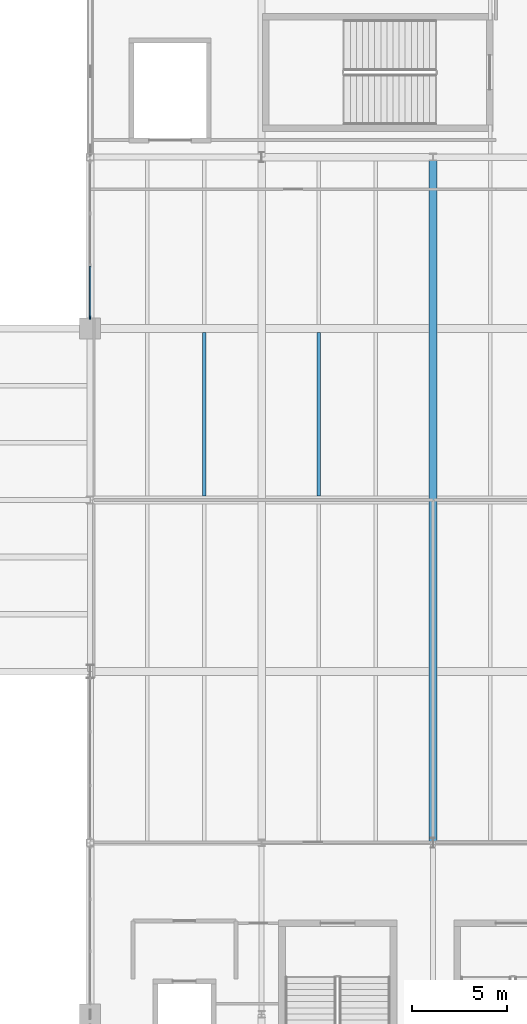
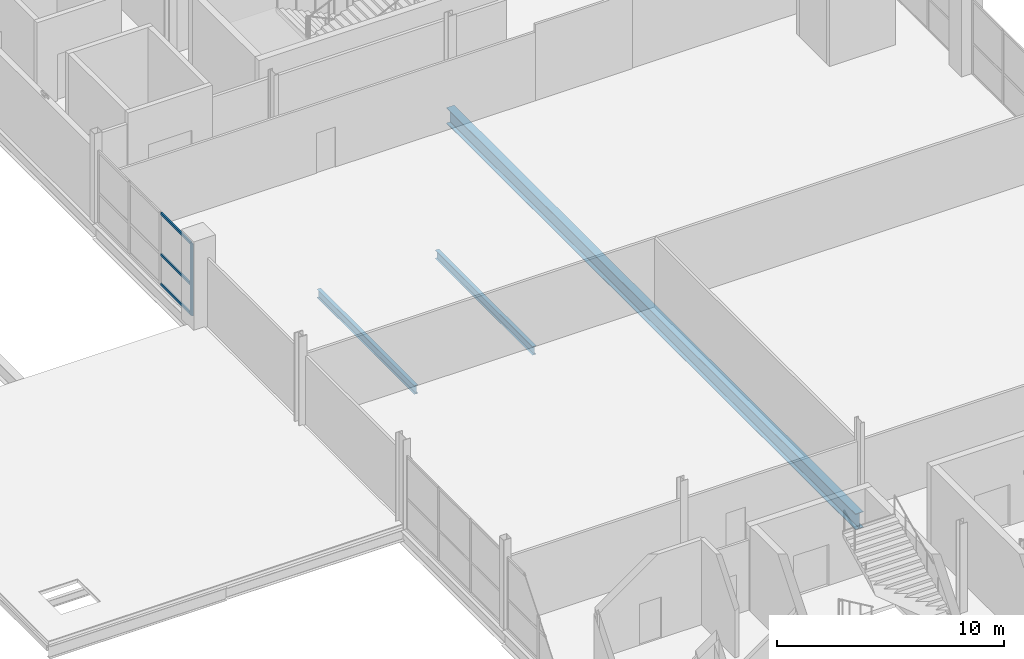
# One storey, part 12 of 50: 4 members, 3 beams, 1 element without a shape of its own.
"""IFC4 building model written with IfcOpenShell, lengths in metres."""

import ifcopenshell
import ifcopenshell.guid

model = None  # the IFC model being written
_history = None  # IfcOwnerHistory: only IFC2X3 demands one
_inside = {}  # id of a spatial element -> (the spatial element, [elements in it])
_under = {}  # id of a project, library or spatial element -> (it, [spatial elements below it])
_declared = {}  # id of a project -> (the project, [libraries it declares])
_typed = {}  # id of a type object -> (the type object, [elements of that type])
_made_of = {}  # id of a material, layer set ... -> (it, [elements and type objects made of it])


def new_model(schema):
    """Start an empty IFC model of exactly this schema.

    Asked for "IFC4X3", IfcOpenShell would pick the latest addendum, in which some entities
    have other attributes; the version numbers below select the first issue.
    IFC2X3 requires an IfcOwnerHistory on every rooted entity: one is made here for all.
    """
    global model, _history
    if schema == "IFC4X3":
        model = ifcopenshell.file(schema_version=(4, 3, 0, 0))
    else:
        model = ifcopenshell.file(schema=schema)
    _inside.clear()
    _under.clear()
    _declared.clear()
    _typed.clear()
    _made_of.clear()
    _history = None
    if model.schema == "IFC2X3":
        org = make("IfcOrganization", Name="unknown")
        user = make(
            "IfcPersonAndOrganization",
            ThePerson=make("IfcPerson", FamilyName="unknown"),
            TheOrganization=org,
        )
        app = make(
            "IfcApplication",
            ApplicationDeveloper=org,
            Version="unknown",
            ApplicationFullName="unknown",
            ApplicationIdentifier="unknown",
        )
        _history = make(
            "IfcOwnerHistory",
            OwningUser=user,
            OwningApplication=app,
            ChangeAction="ADDED",
            CreationDate=0,
        )
    return model


def make(cls, **values):
    """One entity of the class cls with the attributes given. An attribute that is None is left unset."""
    return model.create_entity(
        cls, **{name: value for name, value in values.items() if value is not None}
    )


def rooted(cls, **values):
    """An entity with a GlobalId (a new one), such as an element, a storey or a relation."""
    return make(cls, GlobalId=ifcopenshell.guid.new(), OwnerHistory=_history, **values)


def si_unit(unit_type, name, prefix=None):
    """IfcSIUnit, for example si_unit("LENGTHUNIT", "METRE", prefix="MILLI")."""
    return make("IfcSIUnit", UnitType=unit_type, Prefix=prefix, Name=name)


def assignment(units):
    """IfcUnitAssignment: the units of a project."""
    return None if units is None else make("IfcUnitAssignment", Units=units)


def point(xyz):
    """IfcCartesianPoint."""
    return None if xyz is None else make("IfcCartesianPoint", Coordinates=xyz)


def direction(xyz):
    """IfcDirection."""
    return None if xyz is None else make("IfcDirection", DirectionRatios=xyz)


def frame(location, z_axis=None, x_axis=None):
    """IfcAxis2Placement3D, a coordinate frame: its origin and axes. An axis left out is left unset."""
    return make(
        "IfcAxis2Placement3D",
        Location=point(location),
        Axis=direction(z_axis),
        RefDirection=direction(x_axis),
    )


def frame_2d(location, x_axis=None):
    """IfcAxis2Placement2D, a coordinate frame in the plane: its origin and x axis."""
    return make(
        "IfcAxis2Placement2D", Location=point(location), RefDirection=direction(x_axis)
    )


def origin():
    """The frame at (0, 0, 0) with its axes left unset."""
    return frame((0.0, 0.0, 0.0))


def origin_2d():
    """The frame at (0, 0) in the plane with its x axis left unset."""
    return frame_2d((0.0, 0.0))


def place(relative_to, where):
    """IfcLocalPlacement: puts the frame where relative to a parent placement (None: the world)."""
    return make(
        "IfcLocalPlacement", PlacementRelTo=relative_to, RelativePlacement=where
    )


def context(
    kind, dimensions, precision=None, world=None, true_north=None, identifier=None
):
    """IfcGeometricRepresentationContext, for example the 3D "Model" context."""
    return make(
        "IfcGeometricRepresentationContext",
        ContextIdentifier=identifier,
        ContextType=kind,
        CoordinateSpaceDimension=dimensions,
        Precision=precision,
        WorldCoordinateSystem=world,
        TrueNorth=true_north,
    )


def subcontext(parent, identifier, kind, view, scale=None):
    """IfcGeometricRepresentationSubContext, for example "Body" below "Model"."""
    return make(
        "IfcGeometricRepresentationSubContext",
        ContextIdentifier=identifier,
        ContextType=kind,
        ParentContext=parent,
        TargetScale=scale,
        TargetView=view,
    )


def project(units=None, contexts=None):
    """IfcProject with its units and contexts."""
    return rooted(
        "IfcProject",
        Name="project",
        RepresentationContexts=contexts,
        UnitsInContext=assignment(units),
    )


def spatial(cls, under=None, at=None, **own):
    """A site, building, storey or space (cls), placed at a placement, below another one or the project."""
    s = rooted(cls, ObjectPlacement=at, **own)
    if under is not None:
        _under.setdefault(under.id(), (under, []))[1].append(s)
    return s


def profile(cls, at=None, kind="AREA", **sizes):
    """A parametric profile (cls). Its sizes go by their IFC names, for example OverallWidth=200.0."""
    return make(cls, ProfileType=kind, Position=at, **sizes)


def rectangle(**sizes):
    """IfcRectangleProfileDef."""
    return profile("IfcRectangleProfileDef", **sizes)


def i_section(**sizes):
    """IfcIShapeProfileDef."""
    return profile("IfcIShapeProfileDef", **sizes)


def extrude(swept, where, along, depth):
    """IfcExtrudedAreaSolid: the profile swept, set in the frame where, extruded along a direction by depth."""
    return make(
        "IfcExtrudedAreaSolid",
        SweptArea=swept,
        Position=where,
        ExtrudedDirection=direction(along),
        Depth=depth,
    )


def shape(context_of_items, identifier, shape_type, items):
    """IfcShapeRepresentation: the items that make up one representation, for example the "Body"."""
    return make(
        "IfcShapeRepresentation",
        ContextOfItems=context_of_items,
        RepresentationIdentifier=identifier,
        RepresentationType=shape_type,
        Items=items,
    )


def material(Name=None, Category=None):
    """IfcMaterial."""
    return make("IfcMaterial", Name=Name, Category=Category)


def layer(
    of_material, thickness, ventilated=None, Name=None, Category=None, Priority=None
):
    """IfcMaterialLayer: one layer of a wall or slab, of a material (None: an air gap)."""
    return make(
        "IfcMaterialLayer",
        Material=of_material,
        LayerThickness=thickness,
        IsVentilated=ventilated,
        Name=Name,
        Category=Category,
        Priority=Priority,
    )


def layer_set(layers, Name=None):
    """IfcMaterialLayerSet."""
    return make("IfcMaterialLayerSet", MaterialLayers=layers, LayerSetName=Name)


def material_profile(
    of_material, cross_section, Name=None, Category=None, Priority=None
):
    """IfcMaterialProfile: a cross section and its material."""
    return make(
        "IfcMaterialProfile",
        Name=Name,
        Material=of_material,
        Profile=cross_section,
        Priority=Priority,
        Category=Category,
    )


def profile_set(profiles, Name=None, composite=None):
    """IfcMaterialProfileSet."""
    return make(
        "IfcMaterialProfileSet",
        Name=Name,
        MaterialProfiles=profiles,
        CompositeProfile=composite,
    )


def made_of(thing, what):
    """Note that an element or type object is made of a material, layer set ...; save() writes the relation."""
    if what is not None:
        _made_of.setdefault(what.id(), (what, []))[1].append(thing)
    return thing


def type_object(cls, material=None, **own):
    """A type object (cls), such as IfcWallType, which elements share."""
    return made_of(rooted(cls, **own), material)


def element(
    cls,
    number,
    at=None,
    inside=None,
    cuts=None,
    type_object=None,
    material=None,
    context=None,
    identifier="Body",
    shape_type=None,
    held_by="IfcProductDefinitionShape",
    body=None,
    shapes=None,
    **own,
):
    """One element of the class cls, such as IfcWall. Its Tag is "e" and its number.

    at: its placement. inside: the storey or other place that contains it. cuts: it is an
    opening in that element (IfcRelVoidsElement). A single representation is given by context,
    identifier, shape_type and body (its items); several are given by shapes. held_by: the class
    of the entity that holds the representations. save() writes the other relations.
    """
    e = rooted(cls, Tag="e%d" % number, ObjectPlacement=at, **own)
    if body is not None:
        shapes = [shape(context, identifier, shape_type, body)]
    if shapes is not None:
        e.Representation = make(held_by, Representations=shapes)
    if inside is not None:
        _inside.setdefault(inside.id(), (inside, []))[1].append(e)
    if cuts is not None:
        rooted(
            "IfcRelVoidsElement", RelatingBuildingElement=cuts, RelatedOpeningElement=e
        )
    if type_object is not None:
        _typed.setdefault(type_object.id(), (type_object, []))[1].append(e)
    return made_of(e, material)


def aggregate(whole, parts):
    """IfcRelAggregates: a whole, such as a stair, and the parts it consists of."""
    return rooted("IfcRelAggregates", RelatingObject=whole, RelatedObjects=parts)


def save(model, path):
    """Write the relations noted so far, then the file.

    IfcRelAggregates (storeys below a building ...), IfcRelContainedInSpatialStructure (elements
    in a storey), IfcRelDefinesByType, IfcRelAssociatesMaterial and IfcRelDeclares: one each for
    every whole, place, type object, material and project.
    """
    for whole, parts in _under.values():
        aggregate(whole, parts)
    for where, things in _inside.values():
        rooted(
            "IfcRelContainedInSpatialStructure",
            RelatedElements=things,
            RelatingStructure=where,
        )
    for kind, things in _typed.values():
        rooted("IfcRelDefinesByType", RelatedObjects=things, RelatingType=kind)
    for what, things in _made_of.values():
        rooted("IfcRelAssociatesMaterial", RelatedObjects=things, RelatingMaterial=what)
    for by, libraries in _declared.values():
        rooted("IfcRelDeclares", RelatingContext=by, RelatedDefinitions=libraries)
    model.write(path)


model = new_model("IFC4")

# Units and contexts
model_context = context("Model", 3, precision=1e-05, world=origin(), true_north=direction((0.0, 1.0)))
body_context = subcontext(model_context, "Body", "Model", "MODEL_VIEW")
ifc_project = project(units=[si_unit("LENGTHUNIT", "METRE"), si_unit("AREAUNIT", "SQUARE_METRE"), si_unit("VOLUMEUNIT", "CUBIC_METRE"), si_unit("PLANEANGLEUNIT", "RADIAN"), si_unit("MASSUNIT", "GRAM", prefix="KILO")], contexts=[model_context])

# Site, building, storey
site_placement = place(None, origin())
site = spatial("IfcSite", under=ifc_project, at=site_placement, CompositionType="ELEMENT")
building_placement = place(site_placement, origin())
building = spatial("IfcBuilding", under=site, at=building_placement, Name="Qamarlyn Nura Convention Centre", CompositionType="ELEMENT")
storey_placement = place(building_placement, frame((0.0, 0.0, 20.39990234375)))
storey = spatial("IfcBuildingStorey", under=building, at=storey_placement, Name="L04", CompositionType="ELEMENT", Elevation=20.39990234375)

# Beams
ifc_material_1 = material(Name="Steel ASTM A992", Category="steel")
ifc_material_profile_1 = material_profile(ifc_material_1, i_section(OverallWidth=0.39990234375, OverallDepth=0.85498046875, WebThickness=0.018310546875, FlangeThickness=0.029296875, FilletRadius=0.02197265625, at=origin_2d()), Name="W840X299")
ifc_profile_set_1 = profile_set([ifc_material_profile_1], Name="Steel ASTM A992")
beam_type_1 = type_object("IfcBeamType", Name="BM-GIRD-840", PredefinedType="BEAM", material=ifc_profile_set_1)
beam_placement = place(storey_placement, frame((171.0, 18.0, -0.62744140625), z_axis=(0.0, 1.0, 0.0), x_axis=(-1.0, 0.0, 0.0)))
element("IfcBeam", 1, at=beam_placement, inside=storey, type_object=beam_type_1, Name="L04 girder 15 C-G", PredefinedType="BEAM", context=body_context, shape_type="SweptSolid", body=[
    extrude(i_section(OverallWidth=0.39990234375, OverallDepth=0.85498046875, WebThickness=0.018310546875, FlangeThickness=0.029296875, FilletRadius=0.02197265625, at=origin_2d()), origin(), (0.0, 0.0, 1.0), 36.0),
])
ifc_material_profile_2 = material_profile(ifc_material_1, i_section(OverallWidth=0.18994140625, OverallDepth=0.45703125, WebThickness=0.009033203125, FlangeThickness=0.014404296875, FilletRadius=0.012939453125, at=origin_2d()), Name="W460X74")
ifc_profile_set_2 = profile_set([ifc_material_profile_2], Name="Steel ASTM A992")
beam_type_2 = type_object("IfcBeamType", Name="BM-JOIST-460", PredefinedType="JOIST", material=ifc_profile_set_2)
for number, where, z_axis, x_axis, name in (
    (2, (159.0, 36.208984375, -0.428466796875), (0.0, 1.0, 0.0), (-1.0, 0.0, 0.0), "L04 secondary joist 13-14/E-F-13"),
    (3, (165.0, 36.208984375, -0.428466796875), (0.0, 1.0, 0.0), (-1.0, 0.0, 0.0), "L04 secondary joist 14-15/E-F-28"),
):
    element("IfcBeam", number, at=place(storey_placement, frame(where, z_axis=z_axis, x_axis=x_axis)), inside=storey, type_object=beam_type_2, Name=name, PredefinedType="JOIST", context=body_context, shape_type="SweptSolid", body=[
        extrude(i_section(OverallWidth=0.18994140625, OverallDepth=0.45703125, WebThickness=0.009033203125, FlangeThickness=0.014404296875, FilletRadius=0.012939453125, at=origin_2d()), origin(), (0.0, 0.0, 1.0), 8.58203125),
    ])

# Curtain wall, members
ifc_material_2 = material(Name="Double-silver low-E insulated glass", Category="glass")
ifc_layer = layer(ifc_material_2, 0.179931640625, Name="CW-UNIT-145")
ifc_layer_set = layer_set([ifc_layer], Name="Double-silver low-E insulated glass")
curtain_wall_type = type_object("IfcCurtainWallType", Name="CW-UNIT-145", PredefinedType="NOTDEFINED", material=ifc_layer_set)
curtain_wall_placement = place(storey_placement, origin())
curtain_wall = element("IfcCurtainWall", 4, at=curtain_wall_placement, inside=storey, type_object=curtain_wall_type, Name="L04 unitised curtain wall CRT-45-1", PredefinedType="NOTDEFINED")
ifc_material_3 = material(Name="Champagne-anodised marine aluminium", Category="aluminium")
ifc_material_profile_3 = material_profile(ifc_material_3, rectangle(XDim=0.070068359375, YDim=0.179931640625, at=origin_2d()), Name="ALU MULLION 70x180")
ifc_profile_set_3 = profile_set([ifc_material_profile_3], Name="Champagne-anodised marine aluminium")
member_type_1 = type_object("IfcMemberType", Name="CWM-180", PredefinedType="MULLION", material=ifc_profile_set_3)
member_1_placement = place(storey_placement, frame((153.0, 45.5849609375, 0.0), z_axis=(0.0, 0.0, 1.0), x_axis=(-1.0, 0.0, 0.0)))
member_1 = element("IfcMember", 5, at=member_1_placement, type_object=member_type_1, Name="CW145 mullion 1", PredefinedType="MULLION", context=body_context, shape_type="SweptSolid", body=[
    extrude(rectangle(XDim=0.070068359375, YDim=0.179931640625, at=origin_2d()), origin(), (0.0, 0.0, 1.0), 3.861083984375),
])
ifc_material_profile_4 = material_profile(ifc_material_3, rectangle(XDim=0.070068359375, YDim=0.139892578125, at=origin_2d()), Name="ALU TRANSOM 70x140")
ifc_profile_set_4 = profile_set([ifc_material_profile_4], Name="Champagne-anodised marine aluminium")
member_type_2 = type_object("IfcMemberType", Name="CWT-140", PredefinedType="USERDEFINED", material=ifc_profile_set_4)
member_2_placement = place(storey_placement, frame((153.0, 45.6201171875, 0.03515625), z_axis=(0.0, 1.0, 0.0), x_axis=(-1.0, 0.0, 0.0)))
member_2 = element("IfcMember", 6, at=member_2_placement, type_object=member_type_2, Name="CW145 transom 1.1", ObjectType="TRANSOM", PredefinedType="USERDEFINED", context=body_context, shape_type="SweptSolid", body=[
    extrude(rectangle(XDim=0.070068359375, YDim=0.139892578125, at=origin_2d()), origin(), (0.0, 0.0, 1.0), 2.644775390625),
])
member_3_placement = place(storey_placement, frame((153.0, 45.6201171875, 1.6220703125), z_axis=(0.0, 1.0, 0.0), x_axis=(-1.0, 0.0, 0.0)))
member_3 = element("IfcMember", 7, at=member_3_placement, type_object=member_type_2, Name="CW145 transom 1.2", ObjectType="TRANSOM", PredefinedType="USERDEFINED", context=body_context, shape_type="SweptSolid", body=[
    extrude(rectangle(XDim=0.070068359375, YDim=0.139892578125, at=origin_2d()), origin(), (0.0, 0.0, 1.0), 2.644775390625),
])
member_4_placement = place(storey_placement, frame((153.0, 45.6201171875, 3.826171875), z_axis=(0.0, 1.0, 0.0), x_axis=(-1.0, 0.0, 0.0)))
member_4 = element("IfcMember", 8, at=member_4_placement, type_object=member_type_2, Name="CW145 transom 1.3", ObjectType="TRANSOM", PredefinedType="USERDEFINED", context=body_context, shape_type="SweptSolid", body=[
    extrude(rectangle(XDim=0.070068359375, YDim=0.139892578125, at=origin_2d()), origin(), (0.0, 0.0, 1.0), 2.644775390625),
])
aggregate(curtain_wall, [member_1, member_2, member_3, member_4])

save(model, "model.ifc")
